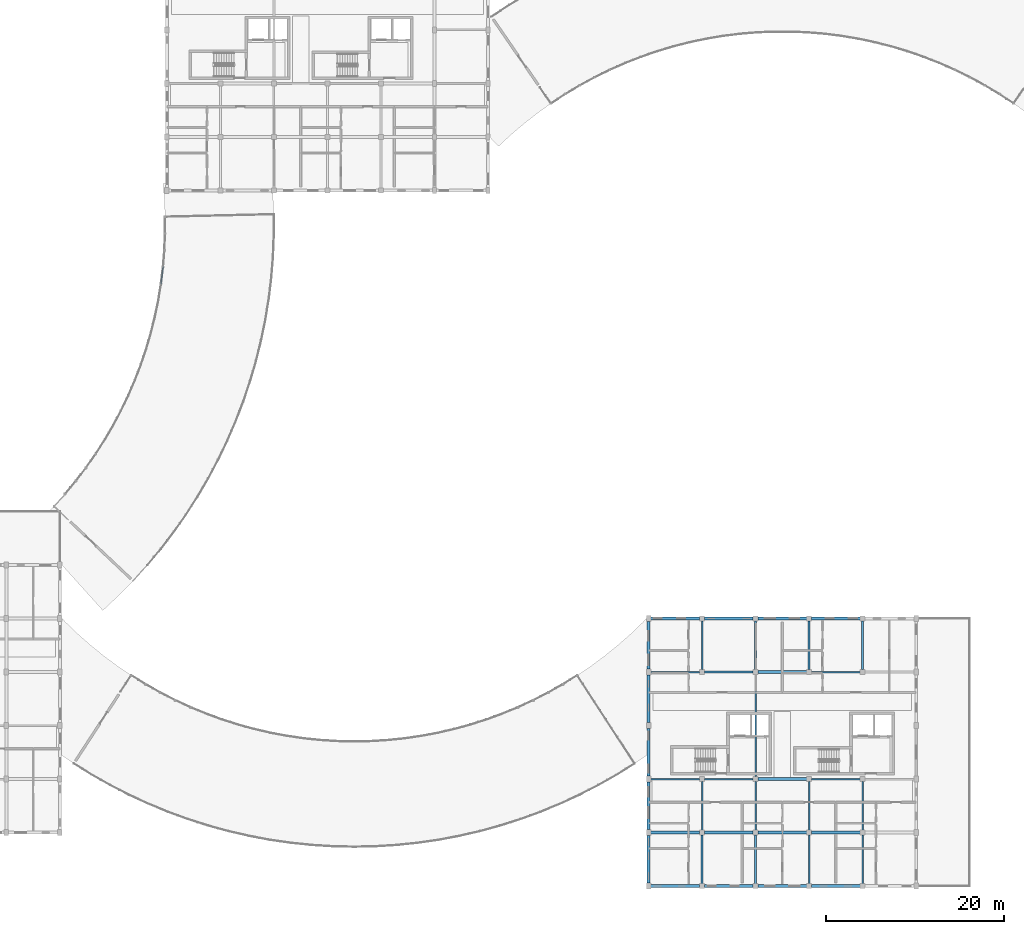
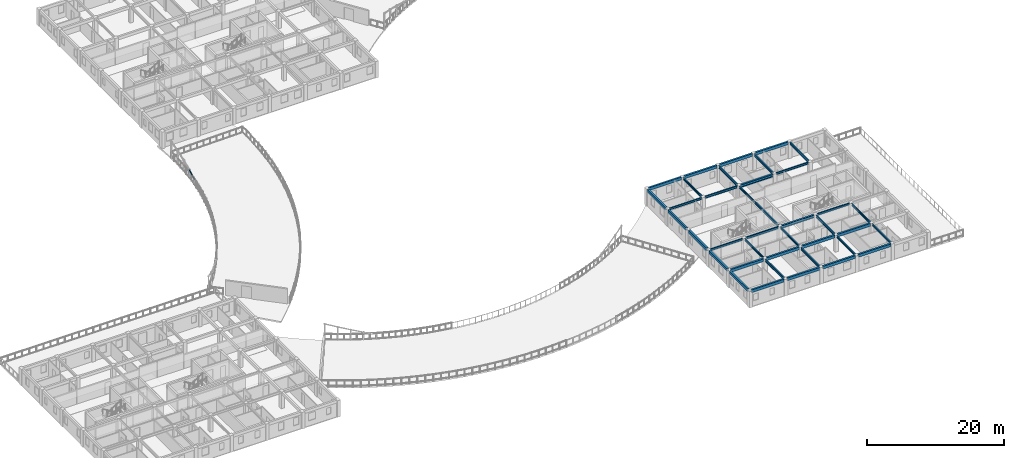
# One storey, part 10 of 58: 38 beams, 1 member.
"""IFC4 building model written with IfcOpenShell, lengths in metres."""

import ifcopenshell
import ifcopenshell.guid

model = None  # the IFC model being written
_history = None  # IfcOwnerHistory: only IFC2X3 demands one
_inside = {}  # id of a spatial element -> (the spatial element, [elements in it])
_under = {}  # id of a project, library or spatial element -> (it, [spatial elements below it])
_declared = {}  # id of a project -> (the project, [libraries it declares])
_typed = {}  # id of a type object -> (the type object, [elements of that type])
_made_of = {}  # id of a material, layer set ... -> (it, [elements and type objects made of it])


def new_model(schema):
    """Start an empty IFC model of exactly this schema.

    Asked for "IFC4X3", IfcOpenShell would pick the latest addendum, in which some entities
    have other attributes; the version numbers below select the first issue.
    IFC2X3 requires an IfcOwnerHistory on every rooted entity: one is made here for all.
    """
    global model, _history
    if schema == "IFC4X3":
        model = ifcopenshell.file(schema_version=(4, 3, 0, 0))
    else:
        model = ifcopenshell.file(schema=schema)
    _inside.clear()
    _under.clear()
    _declared.clear()
    _typed.clear()
    _made_of.clear()
    _history = None
    if model.schema == "IFC2X3":
        org = make("IfcOrganization", Name="unknown")
        user = make(
            "IfcPersonAndOrganization",
            ThePerson=make("IfcPerson", FamilyName="unknown"),
            TheOrganization=org,
        )
        app = make(
            "IfcApplication",
            ApplicationDeveloper=org,
            Version="unknown",
            ApplicationFullName="unknown",
            ApplicationIdentifier="unknown",
        )
        _history = make(
            "IfcOwnerHistory",
            OwningUser=user,
            OwningApplication=app,
            ChangeAction="ADDED",
            CreationDate=0,
        )
    return model


def make(cls, **values):
    """One entity of the class cls with the attributes given. An attribute that is None is left unset."""
    return model.create_entity(
        cls, **{name: value for name, value in values.items() if value is not None}
    )


def rooted(cls, **values):
    """An entity with a GlobalId (a new one), such as an element, a storey or a relation."""
    return make(cls, GlobalId=ifcopenshell.guid.new(), OwnerHistory=_history, **values)


def si_unit(unit_type, name, prefix=None):
    """IfcSIUnit, for example si_unit("LENGTHUNIT", "METRE", prefix="MILLI")."""
    return make("IfcSIUnit", UnitType=unit_type, Prefix=prefix, Name=name)


def assignment(units):
    """IfcUnitAssignment: the units of a project."""
    return None if units is None else make("IfcUnitAssignment", Units=units)


def point(xyz):
    """IfcCartesianPoint."""
    return None if xyz is None else make("IfcCartesianPoint", Coordinates=xyz)


def direction(xyz):
    """IfcDirection."""
    return None if xyz is None else make("IfcDirection", DirectionRatios=xyz)


def frame(location, z_axis=None, x_axis=None):
    """IfcAxis2Placement3D, a coordinate frame: its origin and axes. An axis left out is left unset."""
    return make(
        "IfcAxis2Placement3D",
        Location=point(location),
        Axis=direction(z_axis),
        RefDirection=direction(x_axis),
    )


def frame_2d(location, x_axis=None):
    """IfcAxis2Placement2D, a coordinate frame in the plane: its origin and x axis."""
    return make(
        "IfcAxis2Placement2D", Location=point(location), RefDirection=direction(x_axis)
    )


def origin():
    """The frame at (0, 0, 0) with its axes left unset."""
    return frame((0.0, 0.0, 0.0))


def origin_2d():
    """The frame at (0, 0) in the plane with its x axis left unset."""
    return frame_2d((0.0, 0.0))


def place(relative_to, where):
    """IfcLocalPlacement: puts the frame where relative to a parent placement (None: the world)."""
    return make(
        "IfcLocalPlacement", PlacementRelTo=relative_to, RelativePlacement=where
    )


def context(
    kind, dimensions, precision=None, world=None, true_north=None, identifier=None
):
    """IfcGeometricRepresentationContext, for example the 3D "Model" context."""
    return make(
        "IfcGeometricRepresentationContext",
        ContextIdentifier=identifier,
        ContextType=kind,
        CoordinateSpaceDimension=dimensions,
        Precision=precision,
        WorldCoordinateSystem=world,
        TrueNorth=true_north,
    )


def subcontext(parent, identifier, kind, view, scale=None):
    """IfcGeometricRepresentationSubContext, for example "Body" below "Model"."""
    return make(
        "IfcGeometricRepresentationSubContext",
        ContextIdentifier=identifier,
        ContextType=kind,
        ParentContext=parent,
        TargetScale=scale,
        TargetView=view,
    )


def project(units=None, contexts=None):
    """IfcProject with its units and contexts."""
    return rooted(
        "IfcProject",
        Name="project",
        RepresentationContexts=contexts,
        UnitsInContext=assignment(units),
    )


def spatial(cls, under=None, at=None, **own):
    """A site, building, storey or space (cls), placed at a placement, below another one or the project."""
    s = rooted(cls, ObjectPlacement=at, **own)
    if under is not None:
        _under.setdefault(under.id(), (under, []))[1].append(s)
    return s


def profile(cls, at=None, kind="AREA", **sizes):
    """A parametric profile (cls). Its sizes go by their IFC names, for example OverallWidth=200.0."""
    return make(cls, ProfileType=kind, Position=at, **sizes)


def rectangle(**sizes):
    """IfcRectangleProfileDef."""
    return profile("IfcRectangleProfileDef", **sizes)


def hollow_circle(**sizes):
    """IfcCircleHollowProfileDef."""
    return profile("IfcCircleHollowProfileDef", **sizes)


def i_section(**sizes):
    """IfcIShapeProfileDef."""
    return profile("IfcIShapeProfileDef", **sizes)


def extrude(swept, where, along, depth):
    """IfcExtrudedAreaSolid: the profile swept, set in the frame where, extruded along a direction by depth."""
    return make(
        "IfcExtrudedAreaSolid",
        SweptArea=swept,
        Position=where,
        ExtrudedDirection=direction(along),
        Depth=depth,
    )


def shape(context_of_items, identifier, shape_type, items):
    """IfcShapeRepresentation: the items that make up one representation, for example the "Body"."""
    return make(
        "IfcShapeRepresentation",
        ContextOfItems=context_of_items,
        RepresentationIdentifier=identifier,
        RepresentationType=shape_type,
        Items=items,
    )


def material(Name=None, Category=None):
    """IfcMaterial."""
    return make("IfcMaterial", Name=Name, Category=Category)


def material_profile(
    of_material, cross_section, Name=None, Category=None, Priority=None
):
    """IfcMaterialProfile: a cross section and its material."""
    return make(
        "IfcMaterialProfile",
        Name=Name,
        Material=of_material,
        Profile=cross_section,
        Priority=Priority,
        Category=Category,
    )


def profile_set(profiles, Name=None, composite=None):
    """IfcMaterialProfileSet."""
    return make(
        "IfcMaterialProfileSet",
        Name=Name,
        MaterialProfiles=profiles,
        CompositeProfile=composite,
    )


def made_of(thing, what):
    """Note that an element or type object is made of a material, layer set ...; save() writes the relation."""
    if what is not None:
        _made_of.setdefault(what.id(), (what, []))[1].append(thing)
    return thing


def type_object(cls, material=None, **own):
    """A type object (cls), such as IfcWallType, which elements share."""
    return made_of(rooted(cls, **own), material)


def element(
    cls,
    number,
    at=None,
    inside=None,
    cuts=None,
    type_object=None,
    material=None,
    context=None,
    identifier="Body",
    shape_type=None,
    held_by="IfcProductDefinitionShape",
    body=None,
    shapes=None,
    **own,
):
    """One element of the class cls, such as IfcWall. Its Tag is "e" and its number.

    at: its placement. inside: the storey or other place that contains it. cuts: it is an
    opening in that element (IfcRelVoidsElement). A single representation is given by context,
    identifier, shape_type and body (its items); several are given by shapes. held_by: the class
    of the entity that holds the representations. save() writes the other relations.
    """
    e = rooted(cls, Tag="e%d" % number, ObjectPlacement=at, **own)
    if body is not None:
        shapes = [shape(context, identifier, shape_type, body)]
    if shapes is not None:
        e.Representation = make(held_by, Representations=shapes)
    if inside is not None:
        _inside.setdefault(inside.id(), (inside, []))[1].append(e)
    if cuts is not None:
        rooted(
            "IfcRelVoidsElement", RelatingBuildingElement=cuts, RelatedOpeningElement=e
        )
    if type_object is not None:
        _typed.setdefault(type_object.id(), (type_object, []))[1].append(e)
    return made_of(e, material)


def aggregate(whole, parts):
    """IfcRelAggregates: a whole, such as a stair, and the parts it consists of."""
    return rooted("IfcRelAggregates", RelatingObject=whole, RelatedObjects=parts)


def save(model, path):
    """Write the relations noted so far, then the file.

    IfcRelAggregates (storeys below a building ...), IfcRelContainedInSpatialStructure (elements
    in a storey), IfcRelDefinesByType, IfcRelAssociatesMaterial and IfcRelDeclares: one each for
    every whole, place, type object, material and project.
    """
    for whole, parts in _under.values():
        aggregate(whole, parts)
    for where, things in _inside.values():
        rooted(
            "IfcRelContainedInSpatialStructure",
            RelatedElements=things,
            RelatingStructure=where,
        )
    for kind, things in _typed.values():
        rooted("IfcRelDefinesByType", RelatedObjects=things, RelatingType=kind)
    for what, things in _made_of.values():
        rooted("IfcRelAssociatesMaterial", RelatedObjects=things, RelatingMaterial=what)
    for by, libraries in _declared.values():
        rooted("IfcRelDeclares", RelatingContext=by, RelatedDefinitions=libraries)
    model.write(path)


model = new_model("IFC4")

# Units and contexts
model_context = context("Model", 3, precision=1e-05, world=origin(), true_north=direction((0.0, 1.0)))
body_context = subcontext(model_context, "Body", "Model", "MODEL_VIEW")
ifc_project = project(units=[si_unit("LENGTHUNIT", "METRE"), si_unit("AREAUNIT", "SQUARE_METRE"), si_unit("VOLUMEUNIT", "CUBIC_METRE"), si_unit("PLANEANGLEUNIT", "RADIAN"), si_unit("MASSUNIT", "GRAM", prefix="KILO"), si_unit("POWERUNIT", "WATT"), si_unit("THERMODYNAMICTEMPERATUREUNIT", "KELVIN")], contexts=[model_context])

# Site, building, storey
site_placement = place(None, origin())
site = spatial("IfcSite", under=ifc_project, at=site_placement, CompositionType="ELEMENT")
building_placement = place(site_placement, origin())
building = spatial("IfcBuilding", under=site, at=building_placement, Name="Ruvembo Vaulted Housing Court", CompositionType="ELEMENT")
storey_placement = place(building_placement, frame((0.0, 0.0, 20.5)))
storey = spatial("IfcBuildingStorey", under=building, at=storey_placement, Name="L06", CompositionType="ELEMENT", Elevation=20.5)

# Beams
ifc_material_1 = material(Name="Steel S355J2", Category="steel")
ifc_material_profile_1 = material_profile(ifc_material_1, i_section(OverallWidth=0.300048828125, OverallDepth=0.5, WebThickness=0.014404296875, FlangeThickness=0.028076171875, FilletRadius=0.027099609375, at=origin_2d()), Name="HEB 320")
ifc_profile_set_1 = profile_set([ifc_material_profile_1], Name="Steel S355J2")
beam_type_1 = type_object("IfcBeamType", Name="BM-ST-HEB320", PredefinedType="BEAM", material=ifc_profile_set_1)
for number, where, z_axis, x_axis, name in (
    (1, (114.260009765625, 12.0, 2.676025390625), (1.0, 0.0, 0.0), (0.0, 1.0, 0.0), "L06 Grid Beam X #2573"),
    (2, (114.260009765625, 24.0, 2.676025390625), (1.0, 0.0, 0.0), (0.0, 1.0, 0.0), "L06 Grid Beam X #2585"),
):
    element("IfcBeam", number, at=place(storey_placement, frame(where, z_axis=z_axis, x_axis=x_axis)), inside=storey, type_object=beam_type_1, Name=name, PredefinedType="BEAM", context=body_context, shape_type="SweptSolid", body=[
        extrude(i_section(OverallWidth=0.300048828125, OverallDepth=0.5, WebThickness=0.014404296875, FlangeThickness=0.028076171875, FilletRadius=0.027099609375, at=origin_2d()), origin(), (0.0, 0.0, 1.0), 5.47998046875),
    ])
ifc_material_profile_2 = material_profile(ifc_material_1, i_section(OverallWidth=0.169921875, OverallDepth=0.360107421875, WebThickness=0.008056640625, FlangeThickness=0.0126953125, FilletRadius=0.01806640625, at=origin_2d()), Name="IPE 360")
ifc_profile_set_2 = profile_set([ifc_material_profile_2], Name="Steel S355J2")
beam_type_2 = type_object("IfcBeamType", Name="BM-ST-IPE360", PredefinedType="BEAM", material=ifc_profile_set_2)
beam_1_placement = place(storey_placement, frame((102.235107421875, 12.0, 2.74609375), z_axis=(1.0, 0.0, 0.0), x_axis=(0.0, 1.0, 0.0)))
element("IfcBeam", 3, at=beam_1_placement, inside=storey, type_object=beam_type_2, Name="L06 Grid Beam X #2571", PredefinedType="BEAM", context=body_context, shape_type="SweptSolid", body=[
    extrude(i_section(OverallWidth=0.169921875, OverallDepth=0.360107421875, WebThickness=0.008056640625, FlangeThickness=0.0126953125, FilletRadius=0.01806640625, at=origin_2d()), origin(), (0.0, 0.0, 1.0), 5.5048828125),
])
beam_2_placement = place(storey_placement, frame((120.260009765625, 12.0, 2.74609375), z_axis=(1.0, 0.0, 0.0), x_axis=(0.0, 1.0, 0.0)))
element("IfcBeam", 4, at=beam_2_placement, inside=storey, type_object=beam_type_2, Name="L06 Grid Beam X #2574", PredefinedType="BEAM", context=body_context, shape_type="SweptSolid", body=[
    extrude(i_section(OverallWidth=0.169921875, OverallDepth=0.360107421875, WebThickness=0.008056640625, FlangeThickness=0.0126953125, FilletRadius=0.01806640625, at=origin_2d()), origin(), (0.0, 0.0, 1.0), 5.47998046875),
])
beam_3_placement = place(storey_placement, frame((102.235107421875, 24.0, 2.74609375), z_axis=(1.0, 0.0, 0.0), x_axis=(0.0, 1.0, 0.0)))
element("IfcBeam", 5, at=beam_3_placement, inside=storey, type_object=beam_type_2, Name="L06 Grid Beam X #2583", PredefinedType="BEAM", context=body_context, shape_type="SweptSolid", body=[
    extrude(i_section(OverallWidth=0.169921875, OverallDepth=0.360107421875, WebThickness=0.008056640625, FlangeThickness=0.0126953125, FilletRadius=0.01806640625, at=origin_2d()), origin(), (0.0, 0.0, 1.0), 5.5048828125),
])
for number, where, z_axis, x_axis, name in (
    (6, (120.260009765625, 24.0, 2.74609375), (1.0, 0.0, 0.0), (0.0, 1.0, 0.0), "L06 Grid Beam X #2586"),
    (7, (108.0, 6.260009765625, 2.74609375), (0.0, 1.0, 0.0), (-1.0, 0.0, 0.0), "L06 Grid Beam Y #2736"),
    (8, (114.0, 6.260009765625, 2.74609375), (0.0, 1.0, 0.0), (-1.0, 0.0, 0.0), "L06 Grid Beam Y #2739"),
    (9, (120.0, 0.260009765625, 2.74609375), (0.0, 1.0, 0.0), (-1.0, 0.0, 0.0), "L06 Grid Beam Y #2742"),
    (10, (126.0, 0.260009765625, 2.74609375), (0.0, 1.0, 0.0), (-1.0, 0.0, 0.0), "L06 Grid Beam Y #2745"),
):
    element("IfcBeam", number, at=place(storey_placement, frame(where, z_axis=z_axis, x_axis=x_axis)), inside=storey, type_object=beam_type_2, Name=name, PredefinedType="BEAM", context=body_context, shape_type="SweptSolid", body=[
        extrude(i_section(OverallWidth=0.169921875, OverallDepth=0.360107421875, WebThickness=0.008056640625, FlangeThickness=0.0126953125, FilletRadius=0.01806640625, at=origin_2d()), origin(), (0.0, 0.0, 1.0), 5.47998046875),
    ])
ifc_material_profile_3 = material_profile(ifc_material_1, i_section(OverallWidth=0.179931640625, OverallDepth=0.39990234375, WebThickness=0.008544921875, FlangeThickness=0.013427734375, FilletRadius=0.02099609375, at=origin_2d()), Name="IPE 400")
ifc_profile_set_3 = profile_set([ifc_material_profile_3], Name="Steel S355J2")
beam_type_3 = type_object("IfcBeamType", Name="BM-ST-IPE400", PredefinedType="BEAM", material=ifc_profile_set_3)
for number, where, z_axis, x_axis, name in (
    (11, (108.260009765625, 12.0, 2.72607421875), (1.0, 0.0, 0.0), (0.0, 1.0, 0.0), "L06 Grid Beam X #2572"),
    (12, (108.260009765625, 24.0, 2.72607421875), (1.0, 0.0, 0.0), (0.0, 1.0, 0.0), "L06 Grid Beam X #2584"),
    (13, (108.0, 24.260009765625, 2.72607421875), (0.0, 1.0, 0.0), (-1.0, 0.0, 0.0), "L06 Grid Beam Y #2737"),
):
    element("IfcBeam", number, at=place(storey_placement, frame(where, z_axis=z_axis, x_axis=x_axis)), inside=storey, type_object=beam_type_3, Name=name, PredefinedType="BEAM", context=body_context, shape_type="SweptSolid", body=[
        extrude(i_section(OverallWidth=0.179931640625, OverallDepth=0.39990234375, WebThickness=0.008544921875, FlangeThickness=0.013427734375, FilletRadius=0.02099609375, at=origin_2d()), origin(), (0.0, 0.0, 1.0), 5.47998046875),
    ])
beam_4_placement = place(storey_placement, frame((114.0, 12.260009765625, 2.72607421875), z_axis=(0.0, 1.0, 0.0), x_axis=(-1.0, 0.0, 0.0)))
element("IfcBeam", 14, at=beam_4_placement, inside=storey, type_object=beam_type_3, Name="L06 Grid Beam Y #2740", PredefinedType="BEAM", context=body_context, shape_type="SweptSolid", body=[
    extrude(i_section(OverallWidth=0.179931640625, OverallDepth=0.39990234375, WebThickness=0.008544921875, FlangeThickness=0.013427734375, FilletRadius=0.02099609375, at=origin_2d()), origin(), (0.0, 0.0, 1.0), 11.47998046875),
])
for number, where, z_axis, x_axis, name in (
    (15, (120.0, 6.260009765625, 2.72607421875), (0.0, 1.0, 0.0), (-1.0, 0.0, 0.0), "L06 Grid Beam Y #2743"),
    (16, (126.0, 6.260009765625, 2.72607421875), (0.0, 1.0, 0.0), (-1.0, 0.0, 0.0), "L06 Grid Beam Y #2746"),
):
    element("IfcBeam", number, at=place(storey_placement, frame(where, z_axis=z_axis, x_axis=x_axis)), inside=storey, type_object=beam_type_3, Name=name, PredefinedType="BEAM", context=body_context, shape_type="SweptSolid", body=[
        extrude(i_section(OverallWidth=0.179931640625, OverallDepth=0.39990234375, WebThickness=0.008544921875, FlangeThickness=0.013427734375, FilletRadius=0.02099609375, at=origin_2d()), origin(), (0.0, 0.0, 1.0), 5.47998046875),
    ])
ifc_material_profile_4 = material_profile(ifc_material_1, i_section(OverallWidth=0.18994140625, OverallDepth=0.449951171875, WebThickness=0.009521484375, FlangeThickness=0.0146484375, FilletRadius=0.02099609375, at=origin_2d()), Name="IPE 450")
ifc_profile_set_4 = profile_set([ifc_material_profile_4], Name="Steel S355J2")
beam_type_4 = type_object("IfcBeamType", Name="BM-ST-IPE450", PredefinedType="BEAM", material=ifc_profile_set_4)
for number, where, z_axis, x_axis, name in (
    (17, (108.0, 0.260009765625, 2.700927734375), (0.0, 1.0, 0.0), (-1.0, 0.0, 0.0), "L06 Grid Beam Y #2735"),
    (18, (114.0, 0.260009765625, 2.700927734375), (0.0, 1.0, 0.0), (-1.0, 0.0, 0.0), "L06 Grid Beam Y #2738"),
    (19, (114.0, 24.260009765625, 2.700927734375), (0.0, 1.0, 0.0), (-1.0, 0.0, 0.0), "L06 Grid Beam Y #2741"),
    (20, (120.0, 24.260009765625, 2.700927734375), (0.0, 1.0, 0.0), (-1.0, 0.0, 0.0), "L06 Grid Beam Y #2744"),
    (21, (126.0, 24.260009765625, 2.700927734375), (0.0, 1.0, 0.0), (-1.0, 0.0, 0.0), "L06 Grid Beam Y #2747"),
):
    element("IfcBeam", number, at=place(storey_placement, frame(where, z_axis=z_axis, x_axis=x_axis)), inside=storey, type_object=beam_type_4, Name=name, PredefinedType="BEAM", context=body_context, shape_type="SweptSolid", body=[
        extrude(i_section(OverallWidth=0.18994140625, OverallDepth=0.449951171875, WebThickness=0.009521484375, FlangeThickness=0.0146484375, FilletRadius=0.02099609375, at=origin_2d()), origin(), (0.0, 0.0, 1.0), 5.47998046875),
    ])

# Member
ifc_material_profile_5 = material_profile(ifc_material_1, hollow_circle(Radius=0.05712890625, WallThickness=0.00634765625, at=origin_2d()), Name="CHS 114.3x6.3")
ifc_profile_set_5 = profile_set([ifc_material_profile_5], Name="Steel S355J2")
member_type = type_object("IfcMemberType", Name="MEM-STR-CHS114", PredefinedType="STRUT", material=ifc_profile_set_5)
member_placement = place(storey_placement, frame((47.3408203125, 67.5263671875, 0.891845703125), z_axis=(0.116349337718, 0.959273514533, 0.257404654052), x_axis=(-0.992724660753, 0.120406594225, 0.0)))
element("IfcMember", 22, at=member_placement, inside=storey, type_object=member_type, Name="Scoop SC1 L06 Upswept Crest Tube 15", PredefinedType="STRUT", context=body_context, shape_type="SweptSolid", body=[
    extrude(hollow_circle(Radius=0.05712890625, WallThickness=0.00634765625, at=origin_2d()), origin(), (0.0, 0.0, 1.0), 2.006103515625),
])

# Beams
ifc_material_2 = material(Name="Concrete C35/45", Category="concrete")
ifc_material_profile_6 = material_profile(ifc_material_2, rectangle(XDim=0.300048828125, YDim=0.5, at=origin_2d()), Name="RC 300x500")
ifc_profile_set_6 = profile_set([ifc_material_profile_6], Name="Concrete C35/45")
beam_type_5 = type_object("IfcBeamType", Name="SP-RC-300x500", PredefinedType="SPANDREL", material=ifc_profile_set_6)
beam_5_placement = place(storey_placement, frame((102.235107421875, 0.0, 2.719970703125), z_axis=(1.0, 0.0, 0.0), x_axis=(0.0, 1.0, 0.0)))
element("IfcBeam", 23, at=beam_5_placement, inside=storey, type_object=beam_type_5, Name="L06 Grid Beam X #2549", PredefinedType="SPANDREL", context=body_context, shape_type="SweptSolid", body=[
    extrude(rectangle(XDim=0.300048828125, YDim=0.5, at=origin_2d()), origin(), (0.0, 0.0, 1.0), 5.5048828125),
])
for number, where, z_axis, x_axis, name in (
    (24, (108.260009765625, 0.0, 2.719970703125), (1.0, 0.0, 0.0), (0.0, 1.0, 0.0), "L06 Grid Beam X #2550"),
    (25, (114.260009765625, 0.0, 2.719970703125), (1.0, 0.0, 0.0), (0.0, 1.0, 0.0), "L06 Grid Beam X #2551"),
    (26, (120.260009765625, 0.0, 2.719970703125), (1.0, 0.0, 0.0), (0.0, 1.0, 0.0), "L06 Grid Beam X #2552"),
):
    element("IfcBeam", number, at=place(storey_placement, frame(where, z_axis=z_axis, x_axis=x_axis)), inside=storey, type_object=beam_type_5, Name=name, PredefinedType="SPANDREL", context=body_context, shape_type="SweptSolid", body=[
        extrude(rectangle(XDim=0.300048828125, YDim=0.5, at=origin_2d()), origin(), (0.0, 0.0, 1.0), 5.47998046875),
    ])
beam_6_placement = place(storey_placement, frame((102.235107421875, 6.0, 2.719970703125), z_axis=(1.0, 0.0, 0.0), x_axis=(0.0, 1.0, 0.0)))
element("IfcBeam", 27, at=beam_6_placement, inside=storey, type_object=beam_type_5, Name="L06 Grid Beam X #2560", PredefinedType="SPANDREL", context=body_context, shape_type="SweptSolid", body=[
    extrude(rectangle(XDim=0.300048828125, YDim=0.5, at=origin_2d()), origin(), (0.0, 0.0, 1.0), 5.5048828125),
])
for number, where, z_axis, x_axis, name in (
    (28, (108.260009765625, 6.0, 2.719970703125), (1.0, 0.0, 0.0), (0.0, 1.0, 0.0), "L06 Grid Beam X #2561"),
    (29, (114.260009765625, 6.0, 2.719970703125), (1.0, 0.0, 0.0), (0.0, 1.0, 0.0), "L06 Grid Beam X #2562"),
    (30, (120.260009765625, 6.0, 2.719970703125), (1.0, 0.0, 0.0), (0.0, 1.0, 0.0), "L06 Grid Beam X #2563"),
):
    element("IfcBeam", number, at=place(storey_placement, frame(where, z_axis=z_axis, x_axis=x_axis)), inside=storey, type_object=beam_type_5, Name=name, PredefinedType="SPANDREL", context=body_context, shape_type="SweptSolid", body=[
        extrude(rectangle(XDim=0.300048828125, YDim=0.5, at=origin_2d()), origin(), (0.0, 0.0, 1.0), 5.47998046875),
    ])
beam_7_placement = place(storey_placement, frame((102.235107421875, 30.0, 2.719970703125), z_axis=(1.0, 0.0, 0.0), x_axis=(0.0, 1.0, 0.0)))
element("IfcBeam", 31, at=beam_7_placement, inside=storey, type_object=beam_type_5, Name="L06 Grid Beam X #2594", PredefinedType="SPANDREL", context=body_context, shape_type="SweptSolid", body=[
    extrude(rectangle(XDim=0.300048828125, YDim=0.5, at=origin_2d()), origin(), (0.0, 0.0, 1.0), 5.5048828125),
])
for number, where, z_axis, x_axis, name in (
    (32, (108.260009765625, 30.0, 2.719970703125), (1.0, 0.0, 0.0), (0.0, 1.0, 0.0), "L06 Grid Beam X #2595"),
    (33, (114.260009765625, 30.0, 2.719970703125), (1.0, 0.0, 0.0), (0.0, 1.0, 0.0), "L06 Grid Beam X #2596"),
    (34, (120.260009765625, 30.0, 2.719970703125), (1.0, 0.0, 0.0), (0.0, 1.0, 0.0), "L06 Grid Beam X #2597"),
):
    element("IfcBeam", number, at=place(storey_placement, frame(where, z_axis=z_axis, x_axis=x_axis)), inside=storey, type_object=beam_type_5, Name=name, PredefinedType="SPANDREL", context=body_context, shape_type="SweptSolid", body=[
        extrude(rectangle(XDim=0.300048828125, YDim=0.5, at=origin_2d()), origin(), (0.0, 0.0, 1.0), 5.47998046875),
    ])
for number, where, z_axis, x_axis, name in (
    (35, (102.0, 0.3349609375, 2.719970703125), (0.0, 1.0, 0.0), (-1.0, 0.0, 0.0), "L06 Grid Beam Y #2730"),
    (36, (102.0, 6.3349609375, 2.719970703125), (0.0, 1.0, 0.0), (-1.0, 0.0, 0.0), "L06 Grid Beam Y #2731"),
    (37, (102.0, 12.3349609375, 2.719970703125), (0.0, 1.0, 0.0), (-1.0, 0.0, 0.0), "L06 Grid Beam Y #2732"),
    (38, (102.0, 18.3349609375, 2.719970703125), (0.0, 1.0, 0.0), (-1.0, 0.0, 0.0), "L06 Grid Beam Y #2733"),
    (39, (102.0, 24.3349609375, 2.719970703125), (0.0, 1.0, 0.0), (-1.0, 0.0, 0.0), "L06 Grid Beam Y #2734"),
):
    element("IfcBeam", number, at=place(storey_placement, frame(where, z_axis=z_axis, x_axis=x_axis)), inside=storey, type_object=beam_type_5, Name=name, PredefinedType="SPANDREL", context=body_context, shape_type="SweptSolid", body=[
        extrude(rectangle(XDim=0.300048828125, YDim=0.5, at=origin_2d()), origin(), (0.0, 0.0, 1.0), 5.330078125),
    ])

save(model, "model.ifc")
